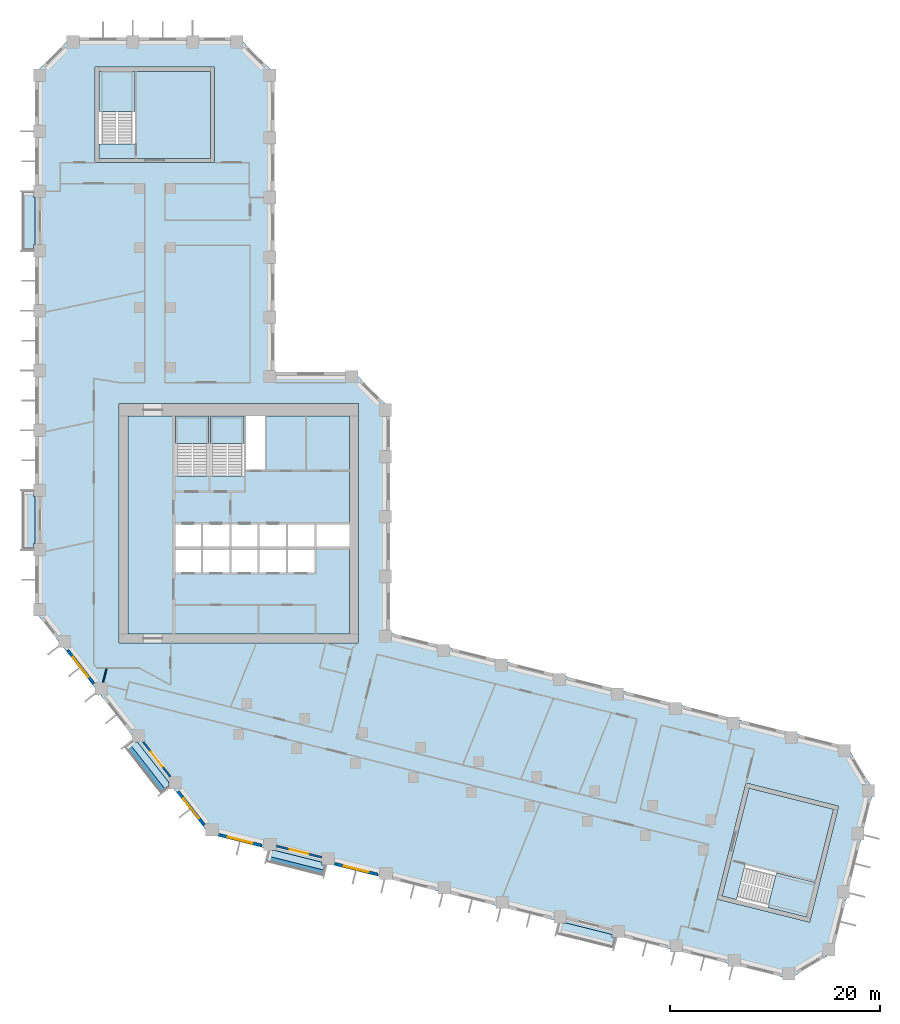
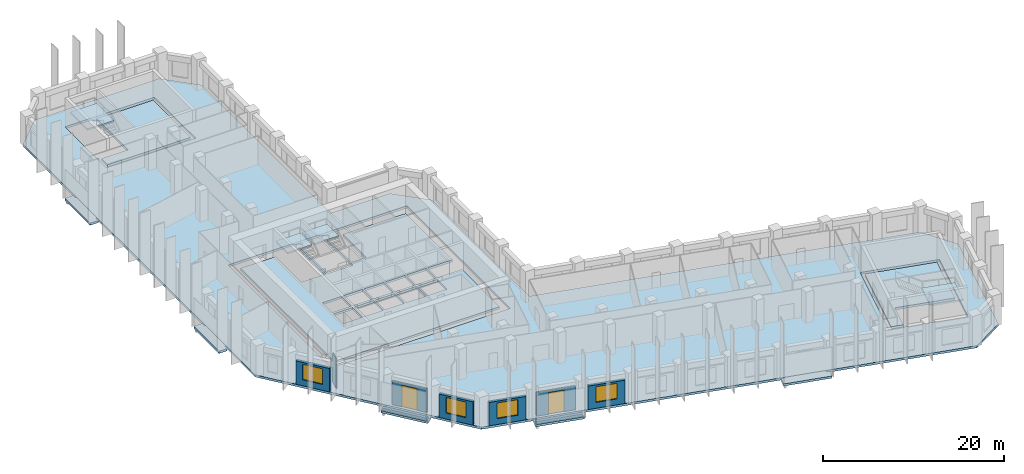
# One storey, part 2 of 10: 13 slabs, 9 walls, 4 windows, 2 doors, 6 openings, 4 elements without a shape of their own.
"""IFC4 building model written with IfcOpenShell, lengths in metres."""

from ifc_helpers import new_model, si_unit, direction, frame, frame_2d, origin, place, context, subcontext, project, spatial, polyline, rectangle, outline, extrude, material, layer, layer_set, type_object, element, fill, aggregate, save


model = new_model("IFC4")

# Units and contexts
model_context = context("Model", 3, precision=1e-05, world=origin(), true_north=direction((0.0, 1.0)))
body_context = subcontext(model_context, "Body", "Model", "MODEL_VIEW")
ifc_project = project(units=[si_unit("LENGTHUNIT", "METRE"), si_unit("AREAUNIT", "SQUARE_METRE"), si_unit("VOLUMEUNIT", "CUBIC_METRE"), si_unit("PLANEANGLEUNIT", "RADIAN"), si_unit("MASSUNIT", "GRAM", prefix="KILO")], contexts=[model_context])

# Site, building, storey
site_placement = place(None, origin())
site = spatial("IfcSite", under=ifc_project, at=site_placement, CompositionType="ELEMENT")
building_placement = place(site_placement, origin())
building = spatial("IfcBuilding", under=site, at=building_placement, Name="Meshkara Civic Tower", CompositionType="ELEMENT")
storey_placement = place(building_placement, frame((0.0, 0.0, 211.800048828125)))
storey = spatial("IfcBuildingStorey", under=building, at=storey_placement, Name="L48", CompositionType="ELEMENT", Elevation=211.800048828125)

# Slabs
ifc_material_1 = material(Name="Concrete C40", Category="concrete")
ifc_layer_1 = layer(ifc_material_1, 0.300048828125)
ifc_layer_set_1 = layer_set([ifc_layer_1], Name="BALCONY SLAB")
slab_type_1 = type_object("IfcSlabType", Name="BALCONY SLAB", PredefinedType="FLOOR", material=ifc_layer_set_1)
slab_1_placement = place(storey_placement, frame((0.0, 0.0, -0.300048828125)))
element("IfcSlab", 1, at=slab_1_placement, inside=storey, type_object=slab_type_1, Name="Balcony slab", PredefinedType="FLOOR", context=body_context, shape_type="SweptSolid", body=[
    extrude(outline(polyline([(-1.199951171875, 51.514892578125), (-1.199951171875, 57.094970703125), (-0.14990234375, 57.094970703125), (-0.14990234375, 56.554931640625), (0.0, 56.554931640625), (0.0, 52.054931640625), (-0.14990234375, 52.054931640625), (-0.14990234375, 51.514892578125), (-1.199951171875, 51.514892578125)])), origin(), (0.0, 0.0, 1.0), 0.300048828125),
])
slab_2_placement = place(storey_placement, frame((0.0, 0.0, -0.300048828125)))
element("IfcSlab", 2, at=slab_2_placement, inside=storey, type_object=slab_type_1, Name="Balcony slab", PredefinedType="FLOOR", context=body_context, shape_type="SweptSolid", body=[
    extrude(outline(polyline([(-1.199951171875, 23.014892578125), (-1.199951171875, 28.594970703125), (-0.14990234375, 28.594970703125), (-0.14990234375, 28.054931640625), (0.0, 28.054931640625), (0.0, 23.554931640625), (-0.14990234375, 23.554931640625), (-0.14990234375, 23.014892578125), (-1.199951171875, 23.014892578125)])), origin(), (0.0, 0.0, 1.0), 0.300048828125),
])
slab_3_placement = place(storey_placement, frame((0.0, 0.0, -0.300048828125)))
element("IfcSlab", 3, at=slab_3_placement, inside=storey, type_object=slab_type_1, Name="Balcony slab", PredefinedType="FLOOR", context=body_context, shape_type="SweptSolid", body=[
    extrude(outline(polyline([(12.0048828125, -0.215087890625), (8.570068359375, 4.181884765625), (9.23291015625, 4.699951171875), (9.23291015625, 4.64501953125), (9.73095703125, 4.64501953125), (12.741943359375, 0.791015625), (12.741943359375, 0.361083984375), (12.0048828125, -0.215087890625)])), origin(), (0.0, 0.0, 1.0), 0.300048828125),
])
slab_4_placement = place(storey_placement, frame((0.0, 0.0, -0.300048828125)))
element("IfcSlab", 4, at=slab_4_placement, inside=storey, type_object=slab_type_1, Name="Balcony slab", PredefinedType="FLOOR", context=body_context, shape_type="SweptSolid", body=[
    extrude(outline(polyline([(27.455078125, -8.08203125), (22.041015625, -6.73193359375), (22.2939453125, -5.717041015625), (22.928955078125, -5.717041015625), (27.31201171875, -6.81005859375), (27.31201171875, -7.095947265625), (27.700927734375, -7.095947265625), (27.455078125, -8.08203125)])), origin(), (0.0, 0.0, 1.0), 0.300048828125),
])
slab_5_placement = place(storey_placement, frame((0.0, 0.0, -0.300048828125)))
element("IfcSlab", 5, at=slab_5_placement, inside=storey, type_object=slab_type_1, Name="Balcony slab", PredefinedType="FLOOR", context=body_context, shape_type="SweptSolid", body=[
    extrude(outline(polyline([(55.10888671875, -14.97705078125), (49.694091796875, -13.626953125), (49.947021484375, -12.611083984375), (50.5810546875, -12.611083984375), (54.966064453125, -13.7041015625), (54.966064453125, -13.989990234375), (55.35498046875, -13.989990234375), (55.10888671875, -14.97705078125)])), origin(), (0.0, 0.0, 1.0), 0.300048828125),
])
ifc_material_2 = material(Name="Concrete C40/50", Category="concrete")
ifc_layer_2 = layer(ifc_material_2, 0.300048828125)
ifc_layer_set_2 = layer_set([ifc_layer_2], Name="Core floor slab 300 C40/50")
slab_type_2 = type_object("IfcSlabType", Name="Core floor slab 300 C40/50", PredefinedType="FLOOR", material=ifc_layer_set_2)
slab_6_placement = place(storey_placement, frame((0.0, 0.0, -0.300048828125)))
element("IfcSlab", 6, at=slab_6_placement, inside=storey, type_object=slab_type_2, Name="Core floor K", PredefinedType="FLOOR", context=body_context, shape_type="SweptSolid", body=[
    extrude(outline(polyline([(8.85009765625, 35.699951171875), (13.3701171875, 35.699951171875), (13.3701171875, 30.00146484375), (16.5, 30.00146484375), (16.5, 35.699951171875), (16.699951171875, 35.699951171875), (16.699951171875, 30.00146484375), (19.89990234375, 30.00146484375), (19.89990234375, 35.699951171875), (20.10009765625, 35.699951171875), (20.10009765625, 30.574951171875), (21.925048828125, 30.574951171875), (21.925048828125, 35.699951171875), (29.949951171875, 35.699951171875), (29.949951171875, 25.39990234375), (26.800048828125, 25.39990234375), (26.800048828125, 23.27001953125), (29.949951171875, 23.27001953125), (29.949951171875, 14.949951171875), (8.85009765625, 14.949951171875), (8.85009765625, 35.699951171875)]), holes=[polyline([(15.800048828125, 22.929931640625), (13.3701171875, 22.929931640625), (13.3701171875, 20.800048828125), (15.800048828125, 20.800048828125), (15.800048828125, 22.929931640625)]), polyline([(16.0, 22.929931640625), (16.0, 20.800048828125), (18.5, 20.800048828125), (18.5, 22.929931640625), (16.0, 22.929931640625)]), polyline([(18.699951171875, 22.929931640625), (18.699951171875, 20.800048828125), (21.199951171875, 20.800048828125), (21.199951171875, 22.929931640625), (18.699951171875, 22.929931640625)]), polyline([(15.800048828125, 23.27001953125), (15.800048828125, 25.39990234375), (13.3701171875, 25.39990234375), (13.3701171875, 23.27001953125), (15.800048828125, 23.27001953125)]), polyline([(16.0, 25.39990234375), (16.0, 23.27001953125), (18.5, 23.27001953125), (18.5, 25.39990234375), (16.0, 25.39990234375)]), polyline([(23.89990234375, 20.800048828125), (23.89990234375, 22.929931640625), (21.39990234375, 22.929931640625), (21.39990234375, 20.800048828125), (23.89990234375, 20.800048828125)]), polyline([(24.10009765625, 20.800048828125), (26.60009765625, 20.800048828125), (26.60009765625, 22.929931640625), (24.10009765625, 22.929931640625), (24.10009765625, 20.800048828125)]), polyline([(18.699951171875, 25.39990234375), (18.699951171875, 23.27001953125), (21.199951171875, 23.27001953125), (21.199951171875, 25.39990234375), (18.699951171875, 25.39990234375)]), polyline([(21.39990234375, 23.27001953125), (23.89990234375, 23.27001953125), (23.89990234375, 25.39990234375), (21.39990234375, 25.39990234375), (21.39990234375, 23.27001953125)]), polyline([(24.10009765625, 23.27001953125), (26.60009765625, 23.27001953125), (26.60009765625, 25.39990234375), (24.10009765625, 25.39990234375), (24.10009765625, 23.27001953125)])]), origin(), (0.0, 0.0, 1.0), 0.300048828125),
])
slab_7_placement = place(storey_placement, frame((0.0, 0.0, -0.300048828125)))
element("IfcSlab", 7, at=slab_7_placement, inside=storey, type_object=slab_type_2, Name="Core floor EA", PredefinedType="FLOOR", context=body_context, shape_type="SweptSolid", body=[
    extrude(outline(polyline([(16.699951171875, 60.27001953125), (16.699951171875, 68.570068359375), (9.5, 68.570068359375), (9.5, 61.67138671875), (6.10009765625, 61.67138671875), (6.10009765625, 60.27001953125), (16.699951171875, 60.27001953125)])), origin(), (0.0, 0.0, 1.0), 0.300048828125),
])
slab_8_placement = place(storey_placement, frame((0.0, 0.0, -0.300048828125)))
element("IfcSlab", 8, at=slab_8_placement, inside=storey, type_object=slab_type_2, Name="Core floor EB", PredefinedType="FLOOR", context=body_context, shape_type="SweptSolid", body=[
    extrude(outline(polyline([(68.050537109375, 0.244384765625), (76.10400390625, -1.763671875), (74.362060546875, -8.749755859375), (67.66845703125, -7.080810546875), (66.845947265625, -10.3798828125), (65.486083984375, -10.040771484375), (68.050537109375, 0.244384765625)])), origin(), (0.0, 0.0, 1.0), 0.300048828125),
])

# Stair, slab
ifc_material_3 = material(Name="Precast concrete C40/50", Category="concrete")
stair_type = type_object("IfcStairType", Name="Exit stair half-turn 24 risers precast", PredefinedType="HALF_TURN_STAIR", material=ifc_material_3)
stair_1_placement = place(storey_placement, origin())
stair_1 = element("IfcStair", 9, at=stair_1_placement, inside=storey, type_object=stair_type, Name="L48 exit stair 1", PredefinedType="HALF_TURN_STAIR")
ifc_material_4 = material(Name="Precast concrete C40/50", Category="concrete")
ifc_layer_3 = layer(ifc_material_4, 0.199951171875)
ifc_layer_set_3 = layer_set([ifc_layer_3], Name="Exit stair landing 200")
slab_type_3 = type_object("IfcSlabType", Name="Exit stair landing 200", PredefinedType="LANDING", material=ifc_layer_set_3)
slab_9_placement = place(storey_placement, frame((0.0, 0.0, 1.89990234375)))
slab_9 = element("IfcSlab", 10, at=slab_9_placement, type_object=slab_type_3, Name="ST1 landing 1", PredefinedType="LANDING", context=body_context, shape_type="SweptSolid", body=[
    extrude(outline(polyline([(16.5, 33.07861328125), (16.5, 35.699951171875), (13.3701171875, 35.699951171875), (13.3701171875, 33.07861328125), (16.5, 33.07861328125)])), origin(), (0.0, 0.0, 1.0), 0.199951171875),
])
aggregate(stair_1, [slab_9])

stair_2_placement = place(storey_placement, origin())
stair_2 = element("IfcStair", 11, at=stair_2_placement, inside=storey, type_object=stair_type, Name="L48 exit stair 2", PredefinedType="HALF_TURN_STAIR")
slab_10_placement = place(storey_placement, frame((0.0, 0.0, 1.89990234375)))
slab_10 = element("IfcSlab", 12, at=slab_10_placement, type_object=slab_type_3, Name="ST2 landing 1", PredefinedType="LANDING", context=body_context, shape_type="SweptSolid", body=[
    extrude(outline(polyline([(19.89990234375, 33.07861328125), (19.89990234375, 35.699951171875), (16.699951171875, 35.699951171875), (16.699951171875, 33.07861328125), (19.89990234375, 33.07861328125)])), origin(), (0.0, 0.0, 1.0), 0.199951171875),
])
aggregate(stair_2, [slab_10])

stair_3_placement = place(storey_placement, origin())
stair_3 = element("IfcStair", 13, at=stair_3_placement, inside=storey, type_object=stair_type, Name="L48 exit stair A from L35", PredefinedType="HALF_TURN_STAIR")
slab_11_placement = place(storey_placement, frame((0.0, 0.0, 1.89990234375)))
slab_11 = element("IfcSlab", 14, at=slab_11_placement, type_object=slab_type_3, Name="ESA3 landing 1", PredefinedType="LANDING", context=body_context, shape_type="SweptSolid", body=[
    extrude(outline(polyline([(9.5, 64.74853515625), (9.5, 68.570068359375), (6.10009765625, 68.570068359375), (6.10009765625, 64.74853515625), (9.5, 64.74853515625)])), origin(), (0.0, 0.0, 1.0), 0.199951171875),
])
aggregate(stair_3, [slab_11])

stair_4_placement = place(storey_placement, origin())
stair_4 = element("IfcStair", 15, at=stair_4_placement, inside=storey, type_object=stair_type, Name="L48 exit stair B from L35", PredefinedType="HALF_TURN_STAIR")
slab_12_placement = place(storey_placement, frame((0.0, 0.0, 1.89990234375)))
slab_12 = element("IfcSlab", 16, at=slab_12_placement, type_object=slab_type_3, Name="ESB3 landing 1", PredefinedType="LANDING", context=body_context, shape_type="SweptSolid", body=[
    extrude(outline(polyline([(69.831298828125, -11.124755859375), (73.5400390625, -12.049072265625), (74.3623046875, -8.7490234375), (70.653564453125, -7.82470703125), (69.831298828125, -11.124755859375)])), origin(), (0.0, 0.0, 1.0), 0.199951171875),
])
aggregate(stair_4, [slab_12])

# Slab
ifc_material_5 = material(Name="Concrete C50", Category="concrete")
ifc_layer_4 = layer(ifc_material_5, 0.300048828125)
ifc_layer_set_4 = layer_set([ifc_layer_4], Name="Post-tensioned flat slab 300 C50")
slab_type_4 = type_object("IfcSlabType", Name="Post-tensioned flat slab 300 C50", PredefinedType="FLOOR", material=ifc_layer_set_4)
slab_13_placement = place(storey_placement, frame((0.0, 0.0, -0.300048828125)))
element("IfcSlab", 17, at=slab_13_placement, inside=storey, type_object=slab_type_4, Name="Post-tensioned flat slab L48", PredefinedType="FLOOR", context=body_context, shape_type="SweptSolid", body=[
    extrude(outline(polyline([(76.044921875, -15.43505859375), (71.89892578125, -17.926025390625), (16.592041015625, -4.136962890625), (0.0, 17.10009765625), (0.0, 68.39990234375), (3.419921875, 71.820068359375), (19.3798828125, 71.820068359375), (22.800048828125, 68.39990234375), (22.800048828125, 39.89990234375), (30.3798828125, 39.89990234375), (33.800048828125, 36.47998046875), (33.800048828125, 15.071044921875), (77.4150390625, 4.196044921875), (79.906005859375, 0.051025390625), (76.044921875, -15.43505859375)]), holes=[polyline([(73.8310546875, -12.533935546875), (76.589111328125, -1.471923828125), (67.759033203125, 0.72900390625), (65.0009765625, -10.33203125), (73.8310546875, -12.533935546875)]), polyline([(8.0, 14.10009765625), (30.800048828125, 14.10009765625), (30.800048828125, 36.89990234375), (8.0, 36.89990234375), (8.0, 14.10009765625)]), polyline([(5.699951171875, 68.969970703125), (5.699951171875, 59.8701171875), (17.10009765625, 59.8701171875), (17.10009765625, 68.969970703125), (5.699951171875, 68.969970703125)])]), origin(), (0.0, 0.0, 1.0), 0.300048828125),
])

# Wall, opening, window
ifc_material_6 = material(Name="Insulated infill panel with bronze anodised aluminium cladding", Category="aluminium")
ifc_layer_5 = layer(ifc_material_6, 0.300048828125)
ifc_layer_set_5 = layer_set([ifc_layer_5], Name="EXTERNAL INFILL WALL 300")
wall_type_1 = type_object("IfcWallType", Name="EXTERNAL INFILL WALL 300", PredefinedType="SOLIDWALL", material=ifc_layer_set_5)
wall_1_placement = place(storey_placement, frame((3.095947265625, 13.381103515625, 0.0), z_axis=(0.0, 0.0, 1.0), x_axis=(0.615563820493, -0.78808704018, 0.0)))
wall_1 = element("IfcWall", 18, at=wall_1_placement, inside=storey, type_object=wall_type_1, Name="External wall", PredefinedType="SOLIDWALL", context=body_context, shape_type="SweptSolid", body=[
    extrude(rectangle(XDim=4.01611328125, YDim=0.300048828125, at=frame_2d((2.008056640625, 0.0))), origin(), (0.0, 0.0, 1.0), 3.14990234375),
])
opening_1_placement = place(wall_1_placement, frame((0.80810546875, 0.0, 0.800048828125)))
opening_1 = element("IfcOpeningElement", 19, at=opening_1_placement, cuts=wall_1, Name="Opening W7", PredefinedType="OPENING", context=body_context, shape_type="SweptSolid", body=[
    extrude(rectangle(XDim=2.39990234375, YDim=2.10009765625, at=frame_2d((1.199951171875, 1.050048828125))), frame((0.0, 0.159912109375, 0.0), z_axis=(0.0, -1.0, 0.0), x_axis=(1.0, 0.0, 0.0)), (0.0, 0.0, 1.0), 0.320068359375),
])
ifc_material_7 = material(Name="Tinted double glazing", Category="glass")
window_type = type_object("IfcWindowType", Name="WINDOW 2400x2100", PartitioningType="DOUBLE_PANEL_VERTICAL", PredefinedType="WINDOW", material=ifc_material_7)
window_1_placement = place(opening_1_placement, origin())
window_1 = element("IfcWindow", 20, at=window_1_placement, inside=storey, type_object=window_type, Name="Window", OverallHeight=2.10009765625, OverallWidth=2.39990234375, PartitioningType="DOUBLE_PANEL_VERTICAL", PredefinedType="WINDOW", context=body_context, shape_type="SweptSolid", body=[
    extrude(rectangle(XDim=2.39990234375, YDim=2.10009765625, at=frame_2d((1.199951171875, 1.050048828125))), frame((0.0, 0.030029296875, 0.0), z_axis=(0.0, -1.0, 0.0), x_axis=(1.0, 0.0, 0.0)), (0.0, 0.0, 1.0), 0.06005859375),
])
fill(opening_1, window_1)

wall_2_placement = place(storey_placement, frame((13.6240234375, -0.093994140625, 0.0), z_axis=(0.0, 0.0, 1.0), x_axis=(0.615526062586, -0.7881165309, 0.0)))
wall_2 = element("IfcWall", 21, at=wall_2_placement, inside=storey, type_object=wall_type_1, Name="External wall", PredefinedType="SOLIDWALL", context=body_context, shape_type="SweptSolid", body=[
    extrude(rectangle(XDim=4.015869140625, YDim=0.300048828125, at=frame_2d((2.0078125, 0.0))), origin(), (0.0, 0.0, 1.0), 3.14990234375),
])
opening_2_placement = place(wall_2_placement, frame((0.80810546875, 0.0, 0.800048828125)))
opening_2 = element("IfcOpeningElement", 22, at=opening_2_placement, cuts=wall_2, Name="Opening W7", PredefinedType="OPENING", context=body_context, shape_type="SweptSolid", body=[
    extrude(rectangle(XDim=2.39990234375, YDim=2.10009765625, at=frame_2d((1.199951171875, 1.050048828125))), frame((0.0, 0.159912109375, 0.0), z_axis=(0.0, -1.0, 0.0), x_axis=(1.0, 0.0, 0.0)), (0.0, 0.0, 1.0), 0.320068359375),
])
window_2_placement = place(opening_2_placement, origin())
window_2 = element("IfcWindow", 23, at=window_2_placement, inside=storey, type_object=window_type, Name="Window", OverallHeight=2.10009765625, OverallWidth=2.39990234375, PartitioningType="DOUBLE_PANEL_VERTICAL", PredefinedType="WINDOW", context=body_context, shape_type="SweptSolid", body=[
    extrude(rectangle(XDim=2.39990234375, YDim=2.10009765625, at=frame_2d((1.199951171875, 1.050048828125))), frame((0.0, 0.030029296875, 0.0), z_axis=(0.0, -1.0, 0.0), x_axis=(1.0, 0.0, 0.0)), (0.0, 0.0, 1.0), 0.06005859375),
])
fill(opening_2, window_2)

wall_3_placement = place(storey_placement, frame((17.48388671875, -4.205078125, 0.0), z_axis=(0.0, 0.0, 1.0), x_axis=(0.970318118028, -0.241832069473, 0.0)))
wall_3 = element("IfcWall", 24, at=wall_3_placement, inside=storey, type_object=wall_type_1, Name="External wall", PredefinedType="SOLIDWALL", context=body_context, shape_type="SweptSolid", body=[
    extrude(rectangle(XDim=4.24609375, YDim=0.300048828125, at=frame_2d((2.123046875, 0.0))), origin(), (0.0, 0.0, 1.0), 3.14990234375),
])
opening_3_placement = place(wall_3_placement, frame((0.923095703125, 0.0, 0.800048828125)))
opening_3 = element("IfcOpeningElement", 25, at=opening_3_placement, cuts=wall_3, Name="Opening W7", PredefinedType="OPENING", context=body_context, shape_type="SweptSolid", body=[
    extrude(rectangle(XDim=2.39990234375, YDim=2.10009765625, at=frame_2d((1.199951171875, 1.050048828125))), frame((0.0, 0.159912109375, 0.0), z_axis=(0.0, -1.0, 0.0), x_axis=(1.0, 0.0, 0.0)), (0.0, 0.0, 1.0), 0.320068359375),
])
window_3_placement = place(opening_3_placement, origin())
window_3 = element("IfcWindow", 26, at=window_3_placement, inside=storey, type_object=window_type, Name="Window", OverallHeight=2.10009765625, OverallWidth=2.39990234375, PartitioningType="DOUBLE_PANEL_VERTICAL", PredefinedType="WINDOW", context=body_context, shape_type="SweptSolid", body=[
    extrude(rectangle(XDim=2.39990234375, YDim=2.10009765625, at=frame_2d((1.199951171875, 1.050048828125))), frame((0.0, 0.030029296875, 0.0), z_axis=(0.0, -1.0, 0.0), x_axis=(1.0, 0.0, 0.0)), (0.0, 0.0, 1.0), 0.06005859375),
])
fill(opening_3, window_3)

wall_4_placement = place(storey_placement, frame((28.544921875, -6.962890625, 0.0), z_axis=(0.0, 0.0, 1.0), x_axis=(0.97030462482, -0.241886202691, 0.0)))
wall_4 = element("IfcWall", 27, at=wall_4_placement, inside=storey, type_object=wall_type_1, Name="External wall", PredefinedType="SOLIDWALL", context=body_context, shape_type="SweptSolid", body=[
    extrude(rectangle(XDim=4.24609375, YDim=0.300048828125, at=frame_2d((2.123046875, 0.0))), origin(), (0.0, 0.0, 1.0), 3.14990234375),
])
opening_4_placement = place(wall_4_placement, frame((0.923095703125, 0.0, 0.800048828125)))
opening_4 = element("IfcOpeningElement", 28, at=opening_4_placement, cuts=wall_4, Name="Opening W7", PredefinedType="OPENING", context=body_context, shape_type="SweptSolid", body=[
    extrude(rectangle(XDim=2.39990234375, YDim=2.10009765625, at=frame_2d((1.199951171875, 1.050048828125))), frame((0.0, 0.159912109375, 0.0), z_axis=(0.0, -1.0, 0.0), x_axis=(1.0, 0.0, 0.0)), (0.0, 0.0, 1.0), 0.320068359375),
])
window_4_placement = place(opening_4_placement, origin())
window_4 = element("IfcWindow", 29, at=window_4_placement, inside=storey, type_object=window_type, Name="Window", OverallHeight=2.10009765625, OverallWidth=2.39990234375, PartitioningType="DOUBLE_PANEL_VERTICAL", PredefinedType="WINDOW", context=body_context, shape_type="SweptSolid", body=[
    extrude(rectangle(XDim=2.39990234375, YDim=2.10009765625, at=frame_2d((1.199951171875, 1.050048828125))), frame((0.0, 0.030029296875, 0.0), z_axis=(0.0, -1.0, 0.0), x_axis=(1.0, 0.0, 0.0)), (0.0, 0.0, 1.0), 0.06005859375),
])
fill(opening_4, window_4)

# Wall, opening, door
ifc_material_8 = material(Name="Insulated infill panel with bronze anodised aluminium cladding", Category="aluminium")
ifc_layer_6 = layer(ifc_material_8, 0.199951171875)
ifc_layer_set_6 = layer_set([ifc_layer_6], Name="LOGGIA BACK WALL 200")
wall_type_2 = type_object("IfcWallType", Name="LOGGIA BACK WALL 200", PredefinedType="SOLIDWALL", material=ifc_layer_set_6)
wall_5_placement = place(storey_placement, frame((10.302001953125, 4.64501953125, 0.0), z_axis=(0.0, 0.0, 1.0), x_axis=(0.615634966381, -0.788031463946, 0.0)))
wall_5 = element("IfcWall", 30, at=wall_5_placement, inside=storey, type_object=wall_type_2, Name="Loggia wall", PredefinedType="SOLIDWALL", context=body_context, shape_type="SweptSolid", body=[
    extrude(rectangle(XDim=4.17626953125, YDim=0.199951171875, at=frame_2d((2.088134765625, 0.0))), origin(), (0.0, 0.0, 1.0), 3.14990234375),
])
opening_5_placement = place(wall_5_placement, frame((1.18798828125, 0.0, 0.0)))
opening_5 = element("IfcOpeningElement", 31, at=opening_5_placement, cuts=wall_5, Name="Opening L48-L003", PredefinedType="OPENING", context=body_context, shape_type="SweptSolid", body=[
    extrude(rectangle(XDim=1.800048828125, YDim=2.89990234375, at=frame_2d((0.89990234375, 1.449951171875))), frame((0.0, 0.10986328125, 0.0), z_axis=(0.0, -1.0, 0.0), x_axis=(1.0, 0.0, 0.0)), (0.0, 0.0, 1.0), 0.219970703125),
])
ifc_material_9 = material(Name="Tinted double glazing", Category="glass")
door_type = type_object("IfcDoorType", Name="LOGGIA DOOR 1800x2900", OperationType="DOUBLE_DOOR_SINGLE_SWING", PredefinedType="DOOR", material=ifc_material_9)
door_1_placement = place(opening_5_placement, origin())
door_1 = element("IfcDoor", 32, at=door_1_placement, inside=storey, type_object=door_type, Name="L48-L003", OperationType="DOUBLE_DOOR_SINGLE_SWING", OverallHeight=2.89990234375, OverallWidth=1.800048828125, PredefinedType="DOOR", context=body_context, shape_type="SweptSolid", body=[
    extrude(rectangle(XDim=1.800048828125, YDim=2.89990234375, at=frame_2d((0.89990234375, 1.449951171875))), frame((0.0, 0.02490234375, 0.0), z_axis=(0.0, -1.0, 0.0), x_axis=(1.0, 0.0, 0.0)), (0.0, 0.0, 1.0), 0.050048828125),
])
fill(opening_5, door_1)

wall_6_placement = place(storey_placement, frame((22.98193359375, -5.26611328125, 0.0), z_axis=(0.0, 0.0, 1.0), x_axis=(0.970283929489, -0.241969205014, 0.0)))
wall_6 = element("IfcWall", 33, at=wall_6_placement, inside=storey, type_object=wall_type_2, Name="Loggia wall", PredefinedType="SOLIDWALL", context=body_context, shape_type="SweptSolid", body=[
    extrude(rectangle(XDim=4.462646484375, YDim=0.199951171875, at=frame_2d((2.2314453125, 0.0))), origin(), (0.0, 0.0, 1.0), 3.14990234375),
])
opening_6_placement = place(wall_6_placement, frame((1.3310546875, 0.0, 0.0)))
opening_6 = element("IfcOpeningElement", 34, at=opening_6_placement, cuts=wall_6, Name="Opening L48-L004", PredefinedType="OPENING", context=body_context, shape_type="SweptSolid", body=[
    extrude(rectangle(XDim=1.800048828125, YDim=2.89990234375, at=frame_2d((0.89990234375, 1.449951171875))), frame((0.0, 0.10986328125, 0.0), z_axis=(0.0, -1.0, 0.0), x_axis=(1.0, 0.0, 0.0)), (0.0, 0.0, 1.0), 0.219970703125),
])
door_2_placement = place(opening_6_placement, origin())
door_2 = element("IfcDoor", 35, at=door_2_placement, inside=storey, type_object=door_type, Name="L48-L004", OperationType="DOUBLE_DOOR_SINGLE_SWING", OverallHeight=2.89990234375, OverallWidth=1.800048828125, PredefinedType="DOOR", context=body_context, shape_type="SweptSolid", body=[
    extrude(rectangle(XDim=1.800048828125, YDim=2.89990234375, at=frame_2d((0.89990234375, 1.449951171875))), frame((0.0, 0.02490234375, 0.0), z_axis=(0.0, -1.0, 0.0), x_axis=(1.0, 0.0, 0.0)), (0.0, 0.0, 1.0), 0.050048828125),
])
fill(opening_6, door_2)

# Walls
ifc_material_10 = material(Name="Concrete C40", Category="concrete")
ifc_layer_7 = layer(ifc_material_10, 0.39990234375)
ifc_layer_set_7 = layer_set([ifc_layer_7], Name="PLANTER TRAY")
wall_type_3 = type_object("IfcWallType", Name="PLANTER TRAY", PredefinedType="SOLIDWALL", material=ifc_layer_set_7)
wall_7_placement = place(storey_placement, frame((8.889892578125, 4.2919921875, 0.0), z_axis=(0.0, 0.0, 1.0), x_axis=(0.615636085037, -0.788030590016, 0.0)))
element("IfcWall", 36, at=wall_7_placement, inside=storey, type_object=wall_type_3, Name="Planter", PredefinedType="SOLIDWALL", context=body_context, shape_type="SweptSolid", body=[
    extrude(rectangle(XDim=5.35888671875, YDim=0.39990234375, at=frame_2d((2.679443359375, 0.0))), origin(), (0.0, 0.0, 1.0), 0.300048828125),
])
wall_8_placement = place(storey_placement, frame((22.22509765625, -6.447998046875, 0.0), z_axis=(0.0, 0.0, 1.0), x_axis=(0.970268314528, -0.242031811592, 0.0)))
element("IfcWall", 37, at=wall_8_placement, inside=storey, type_object=wall_type_3, Name="Planter", PredefinedType="SOLIDWALL", context=body_context, shape_type="SweptSolid", body=[
    extrude(rectangle(XDim=5.359375, YDim=0.39990234375, at=frame_2d((2.6796875, 0.0))), origin(), (0.0, 0.0, 1.0), 0.300048828125),
])
ifc_material_11 = material(Name="Partition 100")
ifc_layer_8 = layer(ifc_material_11, 0.10009765625)
ifc_layer_set_8 = layer_set([ifc_layer_8], Name="Partition 100")
wall_type_4 = type_object("IfcWallType", Name="Partition 100", PredefinedType="PARTITIONING", material=ifc_layer_set_8)
wall_9_placement = place(storey_placement, frame((6.797119140625, 11.637939453125, 0.0), z_axis=(0.0, 0.0, 1.0), x_axis=(-0.242492789119, -0.97015320812, 0.0)))
element("IfcWall", 38, at=wall_9_placement, inside=storey, type_object=wall_type_4, Name="L48-W048", PredefinedType="PARTITIONING", context=body_context, shape_type="SweptSolid", body=[
    extrude(rectangle(XDim=1.341064453125, YDim=0.10009765625, at=frame_2d((0.67041015625, 0.0))), origin(), (0.0, 0.0, 1.0), 3.89990234375),
])

save(model, "model.ifc")
